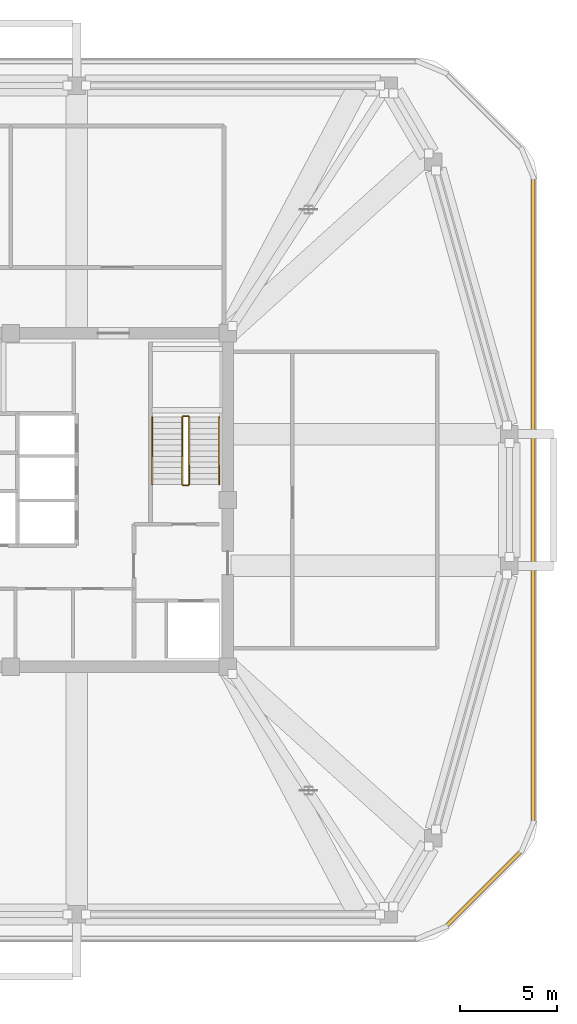
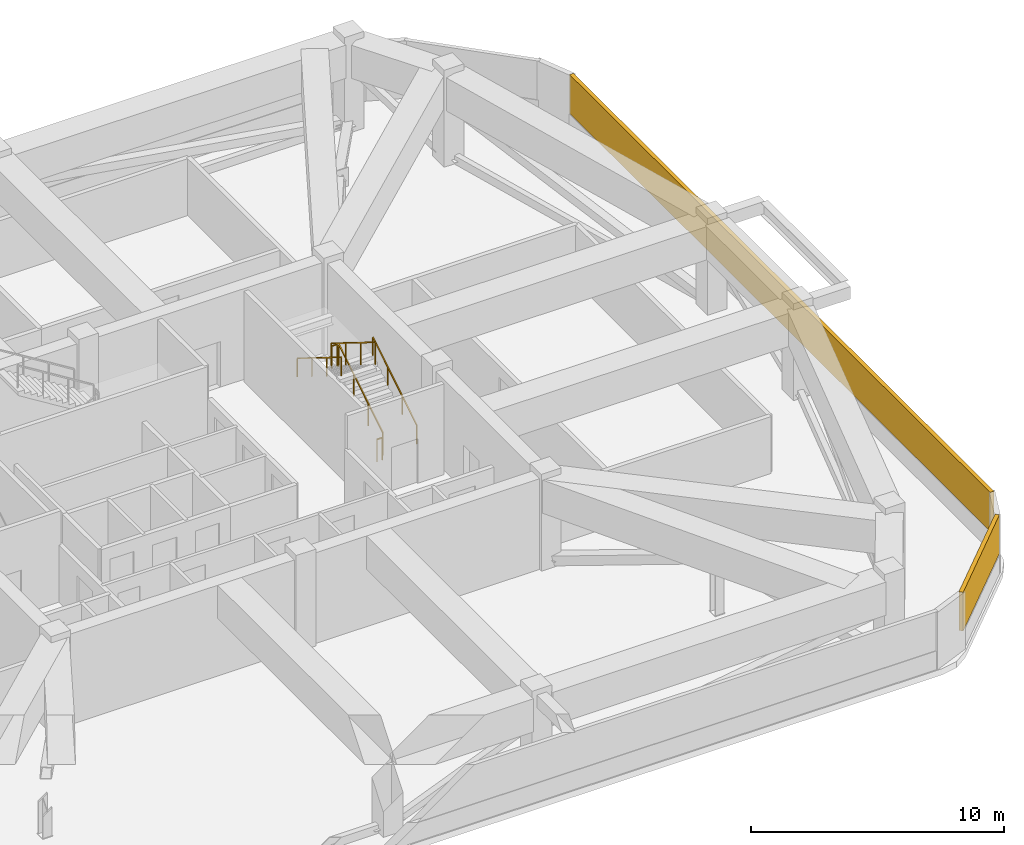
# One storey, part 8 of 9: 6 railings, 2 shading devices.
"""IFC4 building model written with IfcOpenShell, lengths in metres."""

from ifc_helpers import new_model, si_unit, derived_unit, direction, frame, origin, origin_2d, place, context, subcontext, project, spatial, rectangle, extrude, material, layer, layer_set, type_object, element, save


model = new_model("IFC4")

# Units and contexts
model_context = context("Model", 3, precision=1e-05, world=origin(), true_north=direction((0.0, 1.0)))
body_context = subcontext(model_context, "Body", "Model", "MODEL_VIEW")
ifc_project = project(units=[si_unit("LENGTHUNIT", "METRE"), si_unit("AREAUNIT", "SQUARE_METRE"), si_unit("VOLUMEUNIT", "CUBIC_METRE"), si_unit("PLANEANGLEUNIT", "RADIAN"), si_unit("MASSUNIT", "GRAM", prefix="KILO"), derived_unit("THERMALTRANSMITTANCEUNIT", [(si_unit("POWERUNIT", "WATT"), 1), (si_unit("LENGTHUNIT", "METRE"), -2), (si_unit("THERMODYNAMICTEMPERATUREUNIT", "KELVIN"), -1)])], contexts=[model_context])

# Site, building, storey
site_placement = place(None, origin())
site = spatial("IfcSite", under=ifc_project, at=site_placement, CompositionType="ELEMENT")
building_placement = place(site_placement, origin())
building = spatial("IfcBuilding", under=site, at=building_placement, Name="Koralith Skygarden Medical Center", CompositionType="ELEMENT")
storey_placement = place(building_placement, frame((0.0, 0.0, 232.3798828125)))
storey = spatial("IfcBuildingStorey", under=building, at=storey_placement, Name="L60", CompositionType="ELEMENT", Elevation=232.3798828125)

# Shading devices
ifc_material_1 = material(Name="Aluminium 6063-T6", Category="aluminium")
ifc_layer = layer(ifc_material_1, 0.179931640625)
ifc_layer_set = layer_set([ifc_layer], Name="Aluminium 6063-T6")
shading_device_type = type_object("IfcShadingDeviceType", Name="Mechanical Plant Acoustic Hurricane Louvre", PredefinedType="JALOUSIE", material=ifc_layer_set)
shading_device_1_placement = place(storey_placement, frame((61.39990234375, 5.843017578125, 0.900146484375), z_axis=(0.0, 0.0, 1.0), x_axis=(0.707106781187, 0.707106781187, 0.0)))
element("IfcShadingDevice", 1, at=shading_device_1_placement, inside=storey, type_object=shading_device_type, Name="L60 Plant Acoustic Hurricane Louvre SE", PredefinedType="JALOUSIE", context=body_context, shape_type="SweptSolid", body=[
    extrude(rectangle(XDim=5.548095703125, YDim=0.179931640625, at=origin_2d()), origin(), (0.0, 0.0, 1.0), 1.8701171875),
])
shading_device_2_placement = place(storey_placement, frame((63.9619140625, 25.89990234375, 0.900146484375), z_axis=(0.0, 0.0, 1.0), x_axis=(0.0, 1.0, 0.0)))
element("IfcShadingDevice", 2, at=shading_device_2_placement, inside=storey, type_object=shading_device_type, Name="L60 Plant Acoustic Hurricane Louvre E", PredefinedType="JALOUSIE", context=body_context, shape_type="SweptSolid", body=[
    extrude(rectangle(XDim=33.2890625, YDim=0.179931640625, at=origin_2d()), origin(), (0.0, 0.0, 1.0), 1.8701171875),
])

# Railings
ifc_material_2 = material(Name="Steel ASTM A500 Grade C", Category="steel")
railing_type_1 = type_object("IfcRailingType", Name="Stair Flight Tubular Handrail 920", PredefinedType="HANDRAIL", material=ifc_material_2)
railing_1_placement = place(storey_placement, frame((47.75, 26.699951171875, 0.18017578125)))
element("IfcRailing", 3, at=railing_1_placement, inside=storey, type_object=railing_type_1, Name="L60 ST2 stair handrail 1", PredefinedType="HANDRAIL", context=body_context, shape_type="SweptSolid", body=[
    extrude(rectangle(XDim=0.050048828125, YDim=0.050048828125, at=origin_2d()), frame((0.0, 0.001708984375, 0.89599609375), z_axis=(0.0, 0.849648454892, 0.527349507537), x_axis=(-1.0, 0.0, 0.0)), (0.0, 0.0, 1.0), 4.091796875),
    extrude(rectangle(XDim=0.0419921875, YDim=0.0419921875, at=origin_2d()), origin(), (0.0, 0.0, 1.0), 0.867919921875),
    extrude(rectangle(XDim=0.0419921875, YDim=0.0419921875, at=origin_2d()), frame((0.0, 1.159912109375, 0.719970703125)), (0.0, 0.0, 1.0), 0.867919921875),
    extrude(rectangle(XDim=0.0419921875, YDim=0.0419921875, at=origin_2d()), frame((0.0, 2.320068359375, 1.43994140625)), (0.0, 0.0, 1.0), 0.867919921875),
    extrude(rectangle(XDim=0.0419921875, YDim=0.0419921875, at=origin_2d()), frame((0.0, 3.47998046875, 2.159912109375)), (0.0, 0.0, 1.0), 0.867919921875),
])
railing_2_placement = place(storey_placement, frame((44.300048828125, 30.179931640625, 2.52001953125)))
element("IfcRailing", 4, at=railing_2_placement, inside=storey, type_object=railing_type_1, Name="L60 ST2 stair handrail 2", PredefinedType="HANDRAIL", context=body_context, shape_type="SweptSolid", body=[
    extrude(rectangle(XDim=0.050048828125, YDim=0.050048828125, at=origin_2d()), frame((0.0, -0.001708984375, 0.89599609375), z_axis=(0.0, -0.849621746706, 0.527392536471), x_axis=(1.0, 0.0, 0.0)), (0.0, 0.0, 1.0), 4.091796875),
    extrude(rectangle(XDim=0.0419921875, YDim=0.0419921875, at=origin_2d()), origin(), (0.0, 0.0, 1.0), 0.867919921875),
    extrude(rectangle(XDim=0.0419921875, YDim=0.0419921875, at=origin_2d()), frame((0.0, -1.159912109375, 0.719970703125)), (0.0, 0.0, 1.0), 0.867919921875),
    extrude(rectangle(XDim=0.0419921875, YDim=0.0419921875, at=origin_2d()), frame((0.0, -2.320068359375, 1.440185546875)), (0.0, 0.0, 1.0), 0.867919921875),
    extrude(rectangle(XDim=0.0419921875, YDim=0.0419921875, at=origin_2d()), frame((0.0, -3.47998046875, 2.16015625)), (0.0, 0.0, 1.0), 0.867919921875),
])
railing_type_2 = type_object("IfcRailingType", Name="Stair Well Safety Guardrail 1100", PredefinedType="GUARDRAIL", material=ifc_material_2)
railing_3_placement = place(storey_placement, frame((46.199951171875, 26.699951171875, 0.18017578125)))
element("IfcRailing", 5, at=railing_3_placement, inside=storey, type_object=railing_type_2, Name="L60 ST2 stair guard 1", PredefinedType="GUARDRAIL", context=body_context, shape_type="SweptSolid", body=[
    extrude(rectangle(XDim=0.050048828125, YDim=0.050048828125, at=origin_2d()), frame((0.0, 0.001708984375, 1.076171875), z_axis=(0.0, 0.849648454892, 0.527349507537), x_axis=(-1.0, 0.0, 0.0)), (0.0, 0.0, 1.0), 4.091796875),
    extrude(rectangle(XDim=0.0419921875, YDim=0.0419921875, at=origin_2d()), origin(), (0.0, 0.0, 1.0), 1.048095703125),
    extrude(rectangle(XDim=0.0419921875, YDim=0.0419921875, at=origin_2d()), frame((0.0, 1.159912109375, 0.719970703125)), (0.0, 0.0, 1.0), 1.048095703125),
    extrude(rectangle(XDim=0.0419921875, YDim=0.0419921875, at=origin_2d()), frame((0.0, 2.320068359375, 1.43994140625)), (0.0, 0.0, 1.0), 1.048095703125),
    extrude(rectangle(XDim=0.0419921875, YDim=0.0419921875, at=origin_2d()), frame((0.0, 3.47998046875, 2.159912109375)), (0.0, 0.0, 1.0), 1.048095703125),
])
railing_4_placement = place(storey_placement, frame((46.14990234375, 30.22998046875, 2.340087890625)))
element("IfcRailing", 6, at=railing_4_placement, inside=storey, type_object=railing_type_2, Name="L60 ST2 stair guard 2", PredefinedType="GUARDRAIL", context=body_context, shape_type="SweptSolid", body=[
    extrude(rectangle(XDim=0.050048828125, YDim=0.050048828125, at=origin_2d()), frame((-0.001953125, 0.0, 1.0751953125), z_axis=(-1.0, 0.0, 0.0), x_axis=(0.0, -1.0, 0.0)), (0.0, 0.0, 1.0), 0.24609375),
    extrude(rectangle(XDim=0.0419921875, YDim=0.0419921875, at=origin_2d()), origin(), (0.0, 0.0, 1.0), 1.048095703125),
    extrude(rectangle(XDim=0.0419921875, YDim=0.0419921875, at=origin_2d()), frame((-0.25, 0.0, 0.0)), (0.0, 0.0, 1.0), 1.048095703125),
])
railing_5_placement = place(storey_placement, frame((45.85009765625, 30.179931640625, 2.52001953125)))
element("IfcRailing", 7, at=railing_5_placement, inside=storey, type_object=railing_type_2, Name="L60 ST2 stair guard 3", PredefinedType="GUARDRAIL", context=body_context, shape_type="SweptSolid", body=[
    extrude(rectangle(XDim=0.050048828125, YDim=0.050048828125, at=origin_2d()), frame((0.0, -0.001708984375, 1.076171875), z_axis=(0.0, -0.849621746706, 0.527392536471), x_axis=(1.0, 0.0, 0.0)), (0.0, 0.0, 1.0), 4.091796875),
    extrude(rectangle(XDim=0.0419921875, YDim=0.0419921875, at=origin_2d()), origin(), (0.0, 0.0, 1.0), 1.048095703125),
    extrude(rectangle(XDim=0.0419921875, YDim=0.0419921875, at=origin_2d()), frame((0.0, -1.159912109375, 0.719970703125)), (0.0, 0.0, 1.0), 1.048095703125),
    extrude(rectangle(XDim=0.0419921875, YDim=0.0419921875, at=origin_2d()), frame((0.0, -2.320068359375, 1.440185546875)), (0.0, 0.0, 1.0), 1.048095703125),
    extrude(rectangle(XDim=0.0419921875, YDim=0.0419921875, at=origin_2d()), frame((0.0, -3.47998046875, 2.16015625)), (0.0, 0.0, 1.0), 1.048095703125),
])
railing_6_placement = place(storey_placement, frame((46.14990234375, 26.64990234375, 0.0)))
element("IfcRailing", 8, at=railing_6_placement, inside=storey, type_object=railing_type_2, Name="L60 ST2 stair guard 4", PredefinedType="GUARDRAIL", context=body_context, shape_type="SweptSolid", body=[
    extrude(rectangle(XDim=0.050048828125, YDim=0.050048828125, at=origin_2d()), frame((-0.001953125, 0.0, 1.0751953125), z_axis=(-1.0, 0.0, 0.0), x_axis=(0.0, -1.0, 0.0)), (0.0, 0.0, 1.0), 0.24609375),
    extrude(rectangle(XDim=0.0419921875, YDim=0.0419921875, at=origin_2d()), origin(), (0.0, 0.0, 1.0), 1.048095703125),
    extrude(rectangle(XDim=0.0419921875, YDim=0.0419921875, at=origin_2d()), frame((-0.25, 0.0, 0.0)), (0.0, 0.0, 1.0), 1.048095703125),
])

save(model, "model.ifc")
